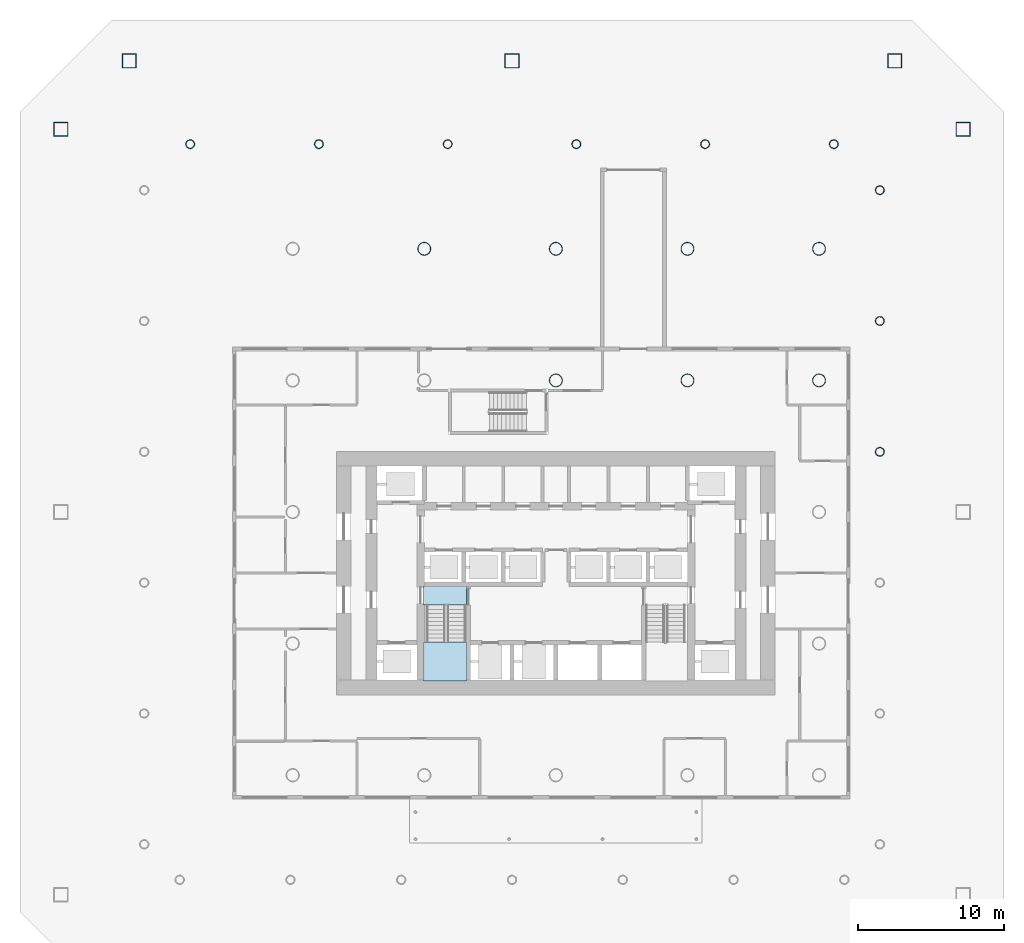
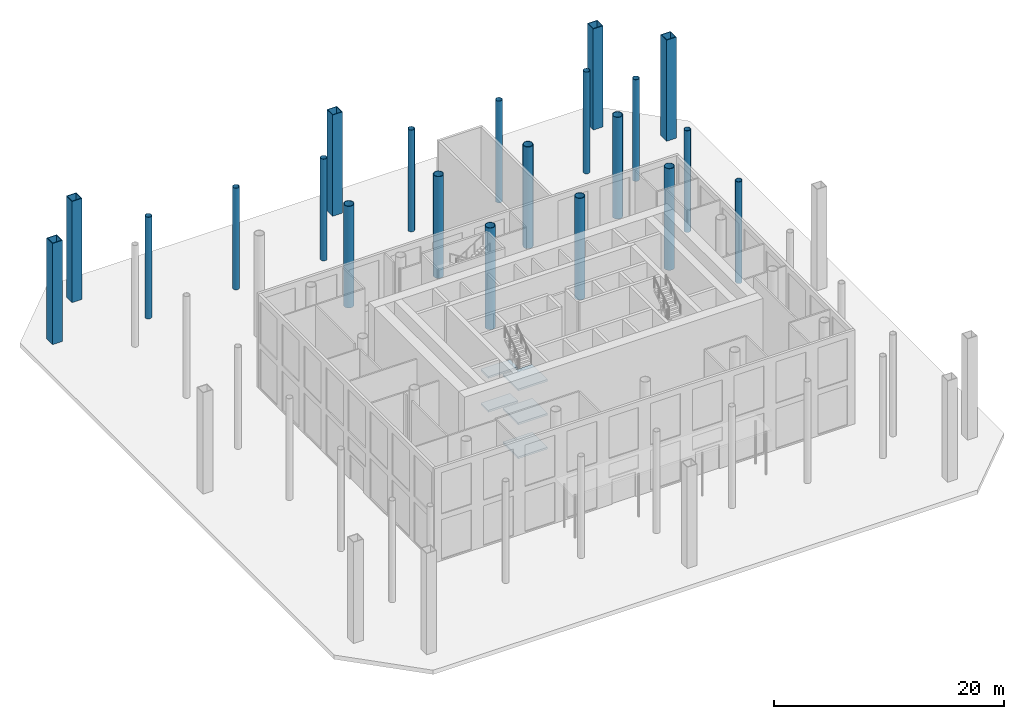
# One storey, part 6 of 18: 21 columns, 5 slabs, 1 element without a shape of its own.
"""IFC4 building model written with IfcOpenShell, lengths in metres."""

import ifcopenshell
import ifcopenshell.guid

model = None  # the IFC model being written
_history = None  # IfcOwnerHistory: only IFC2X3 demands one
_inside = {}  # id of a spatial element -> (the spatial element, [elements in it])
_under = {}  # id of a project, library or spatial element -> (it, [spatial elements below it])
_declared = {}  # id of a project -> (the project, [libraries it declares])
_typed = {}  # id of a type object -> (the type object, [elements of that type])
_made_of = {}  # id of a material, layer set ... -> (it, [elements and type objects made of it])


def new_model(schema):
    """Start an empty IFC model of exactly this schema.

    Asked for "IFC4X3", IfcOpenShell would pick the latest addendum, in which some entities
    have other attributes; the version numbers below select the first issue.
    IFC2X3 requires an IfcOwnerHistory on every rooted entity: one is made here for all.
    """
    global model, _history
    if schema == "IFC4X3":
        model = ifcopenshell.file(schema_version=(4, 3, 0, 0))
    else:
        model = ifcopenshell.file(schema=schema)
    _inside.clear()
    _under.clear()
    _declared.clear()
    _typed.clear()
    _made_of.clear()
    _history = None
    if model.schema == "IFC2X3":
        org = make("IfcOrganization", Name="unknown")
        user = make(
            "IfcPersonAndOrganization",
            ThePerson=make("IfcPerson", FamilyName="unknown"),
            TheOrganization=org,
        )
        app = make(
            "IfcApplication",
            ApplicationDeveloper=org,
            Version="unknown",
            ApplicationFullName="unknown",
            ApplicationIdentifier="unknown",
        )
        _history = make(
            "IfcOwnerHistory",
            OwningUser=user,
            OwningApplication=app,
            ChangeAction="ADDED",
            CreationDate=0,
        )
    return model


def make(cls, **values):
    """One entity of the class cls with the attributes given. An attribute that is None is left unset."""
    return model.create_entity(
        cls, **{name: value for name, value in values.items() if value is not None}
    )


def rooted(cls, **values):
    """An entity with a GlobalId (a new one), such as an element, a storey or a relation."""
    return make(cls, GlobalId=ifcopenshell.guid.new(), OwnerHistory=_history, **values)


def si_unit(unit_type, name, prefix=None):
    """IfcSIUnit, for example si_unit("LENGTHUNIT", "METRE", prefix="MILLI")."""
    return make("IfcSIUnit", UnitType=unit_type, Prefix=prefix, Name=name)


def assignment(units):
    """IfcUnitAssignment: the units of a project."""
    return None if units is None else make("IfcUnitAssignment", Units=units)


def point(xyz):
    """IfcCartesianPoint."""
    return None if xyz is None else make("IfcCartesianPoint", Coordinates=xyz)


def direction(xyz):
    """IfcDirection."""
    return None if xyz is None else make("IfcDirection", DirectionRatios=xyz)


def frame(location, z_axis=None, x_axis=None):
    """IfcAxis2Placement3D, a coordinate frame: its origin and axes. An axis left out is left unset."""
    return make(
        "IfcAxis2Placement3D",
        Location=point(location),
        Axis=direction(z_axis),
        RefDirection=direction(x_axis),
    )


def frame_2d(location, x_axis=None):
    """IfcAxis2Placement2D, a coordinate frame in the plane: its origin and x axis."""
    return make(
        "IfcAxis2Placement2D", Location=point(location), RefDirection=direction(x_axis)
    )


def origin():
    """The frame at (0, 0, 0) with its axes left unset."""
    return frame((0.0, 0.0, 0.0))


def origin_2d():
    """The frame at (0, 0) in the plane with its x axis left unset."""
    return frame_2d((0.0, 0.0))


def place(relative_to, where):
    """IfcLocalPlacement: puts the frame where relative to a parent placement (None: the world)."""
    return make(
        "IfcLocalPlacement", PlacementRelTo=relative_to, RelativePlacement=where
    )


def context(
    kind, dimensions, precision=None, world=None, true_north=None, identifier=None
):
    """IfcGeometricRepresentationContext, for example the 3D "Model" context."""
    return make(
        "IfcGeometricRepresentationContext",
        ContextIdentifier=identifier,
        ContextType=kind,
        CoordinateSpaceDimension=dimensions,
        Precision=precision,
        WorldCoordinateSystem=world,
        TrueNorth=true_north,
    )


def subcontext(parent, identifier, kind, view, scale=None):
    """IfcGeometricRepresentationSubContext, for example "Body" below "Model"."""
    return make(
        "IfcGeometricRepresentationSubContext",
        ContextIdentifier=identifier,
        ContextType=kind,
        ParentContext=parent,
        TargetScale=scale,
        TargetView=view,
    )


def project(units=None, contexts=None):
    """IfcProject with its units and contexts."""
    return rooted(
        "IfcProject",
        Name="project",
        RepresentationContexts=contexts,
        UnitsInContext=assignment(units),
    )


def spatial(cls, under=None, at=None, **own):
    """A site, building, storey or space (cls), placed at a placement, below another one or the project."""
    s = rooted(cls, ObjectPlacement=at, **own)
    if under is not None:
        _under.setdefault(under.id(), (under, []))[1].append(s)
    return s


def polyline(points):
    """IfcPolyline through the points."""
    return make("IfcPolyline", Points=[point(p) for p in points])


def profile(cls, at=None, kind="AREA", **sizes):
    """A parametric profile (cls). Its sizes go by their IFC names, for example OverallWidth=200.0."""
    return make(cls, ProfileType=kind, Position=at, **sizes)


def hollow_rectangle(**sizes):
    """IfcRectangleHollowProfileDef."""
    return profile("IfcRectangleHollowProfileDef", **sizes)


def hollow_circle(**sizes):
    """IfcCircleHollowProfileDef."""
    return profile("IfcCircleHollowProfileDef", **sizes)


def outline(outer, holes=None, kind="AREA"):
    """IfcArbitraryClosedProfileDef: a profile drawn as a closed curve; with holes, ...WithVoids."""
    if holes is None:
        return make("IfcArbitraryClosedProfileDef", ProfileType=kind, OuterCurve=outer)
    return make(
        "IfcArbitraryProfileDefWithVoids",
        ProfileType=kind,
        OuterCurve=outer,
        InnerCurves=holes,
    )


def extrude(swept, where, along, depth):
    """IfcExtrudedAreaSolid: the profile swept, set in the frame where, extruded along a direction by depth."""
    return make(
        "IfcExtrudedAreaSolid",
        SweptArea=swept,
        Position=where,
        ExtrudedDirection=direction(along),
        Depth=depth,
    )


def shape(context_of_items, identifier, shape_type, items):
    """IfcShapeRepresentation: the items that make up one representation, for example the "Body"."""
    return make(
        "IfcShapeRepresentation",
        ContextOfItems=context_of_items,
        RepresentationIdentifier=identifier,
        RepresentationType=shape_type,
        Items=items,
    )


def material(Name=None, Category=None):
    """IfcMaterial."""
    return make("IfcMaterial", Name=Name, Category=Category)


def layer(
    of_material, thickness, ventilated=None, Name=None, Category=None, Priority=None
):
    """IfcMaterialLayer: one layer of a wall or slab, of a material (None: an air gap)."""
    return make(
        "IfcMaterialLayer",
        Material=of_material,
        LayerThickness=thickness,
        IsVentilated=ventilated,
        Name=Name,
        Category=Category,
        Priority=Priority,
    )


def layer_set(layers, Name=None):
    """IfcMaterialLayerSet."""
    return make("IfcMaterialLayerSet", MaterialLayers=layers, LayerSetName=Name)


def material_profile(
    of_material, cross_section, Name=None, Category=None, Priority=None
):
    """IfcMaterialProfile: a cross section and its material."""
    return make(
        "IfcMaterialProfile",
        Name=Name,
        Material=of_material,
        Profile=cross_section,
        Priority=Priority,
        Category=Category,
    )


def profile_set(profiles, Name=None, composite=None):
    """IfcMaterialProfileSet."""
    return make(
        "IfcMaterialProfileSet",
        Name=Name,
        MaterialProfiles=profiles,
        CompositeProfile=composite,
    )


def made_of(thing, what):
    """Note that an element or type object is made of a material, layer set ...; save() writes the relation."""
    if what is not None:
        _made_of.setdefault(what.id(), (what, []))[1].append(thing)
    return thing


def type_object(cls, material=None, **own):
    """A type object (cls), such as IfcWallType, which elements share."""
    return made_of(rooted(cls, **own), material)


def element(
    cls,
    number,
    at=None,
    inside=None,
    cuts=None,
    type_object=None,
    material=None,
    context=None,
    identifier="Body",
    shape_type=None,
    held_by="IfcProductDefinitionShape",
    body=None,
    shapes=None,
    **own,
):
    """One element of the class cls, such as IfcWall. Its Tag is "e" and its number.

    at: its placement. inside: the storey or other place that contains it. cuts: it is an
    opening in that element (IfcRelVoidsElement). A single representation is given by context,
    identifier, shape_type and body (its items); several are given by shapes. held_by: the class
    of the entity that holds the representations. save() writes the other relations.
    """
    e = rooted(cls, Tag="e%d" % number, ObjectPlacement=at, **own)
    if body is not None:
        shapes = [shape(context, identifier, shape_type, body)]
    if shapes is not None:
        e.Representation = make(held_by, Representations=shapes)
    if inside is not None:
        _inside.setdefault(inside.id(), (inside, []))[1].append(e)
    if cuts is not None:
        rooted(
            "IfcRelVoidsElement", RelatingBuildingElement=cuts, RelatedOpeningElement=e
        )
    if type_object is not None:
        _typed.setdefault(type_object.id(), (type_object, []))[1].append(e)
    return made_of(e, material)


def aggregate(whole, parts):
    """IfcRelAggregates: a whole, such as a stair, and the parts it consists of."""
    return rooted("IfcRelAggregates", RelatingObject=whole, RelatedObjects=parts)


def save(model, path):
    """Write the relations noted so far, then the file.

    IfcRelAggregates (storeys below a building ...), IfcRelContainedInSpatialStructure (elements
    in a storey), IfcRelDefinesByType, IfcRelAssociatesMaterial and IfcRelDeclares: one each for
    every whole, place, type object, material and project.
    """
    for whole, parts in _under.values():
        aggregate(whole, parts)
    for where, things in _inside.values():
        rooted(
            "IfcRelContainedInSpatialStructure",
            RelatedElements=things,
            RelatingStructure=where,
        )
    for kind, things in _typed.values():
        rooted("IfcRelDefinesByType", RelatedObjects=things, RelatingType=kind)
    for what, things in _made_of.values():
        rooted("IfcRelAssociatesMaterial", RelatedObjects=things, RelatingMaterial=what)
    for by, libraries in _declared.values():
        rooted("IfcRelDeclares", RelatingContext=by, RelatedDefinitions=libraries)
    model.write(path)


model = new_model("IFC4")

# Units and contexts
model_context = context("Model", 3, precision=1e-05, world=origin(), true_north=direction((0.0, 1.0)))
body_context = subcontext(model_context, "Body", "Model", "MODEL_VIEW")
ifc_project = project(units=[si_unit("LENGTHUNIT", "METRE"), si_unit("AREAUNIT", "SQUARE_METRE"), si_unit("VOLUMEUNIT", "CUBIC_METRE"), si_unit("PLANEANGLEUNIT", "RADIAN"), si_unit("MASSUNIT", "GRAM", prefix="KILO")], contexts=[model_context])

# Site, building, storey
site_placement = place(None, origin())
site = spatial("IfcSite", under=ifc_project, at=site_placement, CompositionType="ELEMENT")
building_placement = place(site_placement, origin())
building = spatial("IfcBuilding", under=site, at=building_placement, Name="Tskaro Facet Tower", CompositionType="ELEMENT")
storey_placement = place(building_placement, origin())
storey = spatial("IfcBuildingStorey", under=building, at=storey_placement, Name="L00", CompositionType="ELEMENT", Elevation=0.0)

# Columns
ifc_material_1 = material(Name="Steel S460M", Category="steel")
ifc_material_profile_1 = material_profile(ifc_material_1, hollow_rectangle(XDim=1.0, YDim=1.0, WallThickness=0.06005859375, at=origin_2d()), Name="BOX 1000x1000x60")
ifc_profile_set_1 = profile_set([ifc_material_profile_1], Name="Steel S460M")
column_type_1 = type_object("IfcColumnType", Name="BOX 1000x1000x60 mega column", PredefinedType="COLUMN", material=ifc_profile_set_1)
for number, where, z_axis, x_axis, name in (
    (1, (27.85009765625, 26.180908203125, 0.0), (0.0, 0.0, 1.0), (1.0, 0.0, 0.0), "BOX 1000x1000x60 MC06/G"),
    (2, (23.180908203125, 30.85009765625, 0.0), (0.0, 0.0, 1.0), (1.0, 0.0, 0.0), "BOX 1000x1000x60 MC07/G"),
):
    element("IfcColumn", number, at=place(storey_placement, frame(where, z_axis=z_axis, x_axis=x_axis)), inside=storey, type_object=column_type_1, Name=name, PredefinedType="COLUMN", context=body_context, shape_type="SweptSolid", body=[
        extrude(hollow_rectangle(XDim=1.0, YDim=1.0, WallThickness=0.06005859375, at=origin_2d()), origin(), (0.0, 0.0, 1.0), 10.744140625),
    ])
column_placement = place(storey_placement, frame((-3.0, 30.85009765625, 0.0), z_axis=(0.0, 0.0, 1.0), x_axis=(1.0, 0.0, 0.0)))
element("IfcColumn", 3, at=column_placement, inside=storey, type_object=column_type_1, Name="BOX 1000x1000x60 MC08/G", PredefinedType="COLUMN", context=body_context, shape_type="SweptSolid", body=[
    extrude(hollow_rectangle(XDim=1.0, YDim=1.0, WallThickness=0.06005859375, at=origin_2d()), origin(), (0.0, 0.0, 1.0), 10.763671875),
])
for number, where, z_axis, x_axis, name in (
    (4, (-29.180908203125, 30.85009765625, 0.0), (0.0, 0.0, 1.0), (1.0, 0.0, 0.0), "BOX 1000x1000x60 MC09/G"),
    (5, (-33.85009765625, 26.180908203125, 0.0), (0.0, 0.0, 1.0), (1.0, 0.0, 0.0), "BOX 1000x1000x60 MC10/G"),
):
    element("IfcColumn", number, at=place(storey_placement, frame(where, z_axis=z_axis, x_axis=x_axis)), inside=storey, type_object=column_type_1, Name=name, PredefinedType="COLUMN", context=body_context, shape_type="SweptSolid", body=[
        extrude(hollow_rectangle(XDim=1.0, YDim=1.0, WallThickness=0.06005859375, at=origin_2d()), origin(), (0.0, 0.0, 1.0), 10.744140625),
    ])
ifc_material_2 = material(Name="Steel S355J2H", Category="steel")
ifc_material_profile_2 = material_profile(ifc_material_2, hollow_circle(Radius=0.304931640625, WallThickness=0.030029296875, at=origin_2d()), Name="CHS 610x30")
ifc_profile_set_2 = profile_set([ifc_material_profile_2], Name="Steel S355J2H")
column_type_2 = type_object("IfcColumnType", Name="CHS 610x30 ring column", PredefinedType="COLUMN", material=ifc_profile_set_2)
for number, where, z_axis, x_axis, name in (
    (6, (22.156982421875, 4.115966796875, 0.0), (0.0, 0.0, 1.0), (1.0, 0.0, 0.0), "CHS 610x30 RE-4/1"),
    (7, (22.156982421875, 13.06396484375, 0.0), (0.0, 0.0, 1.0), (1.0, 0.0, 0.0), "CHS 610x30 RE-5/1"),
    (8, (22.156982421875, 22.011962890625, 0.0), (0.0, 0.0, 1.0), (1.0, 0.0, 0.0), "CHS 610x30 RNE-1/1"),
    (9, (19.011962890625, 25.156982421875, 0.0), (0.0, 0.0, 1.0), (1.0, 0.0, 0.0), "CHS 610x30 RN-1/1"),
    (10, (10.20703125, 25.156982421875, 0.0), (0.0, 0.0, 1.0), (1.0, 0.0, 0.0), "CHS 610x30 RN-2/1"),
    (11, (1.402099609375, 25.156982421875, 0.0), (0.0, 0.0, 1.0), (1.0, 0.0, 0.0), "CHS 610x30 RN-3/1"),
    (12, (-7.402099609375, 25.156982421875, 0.0), (0.0, 0.0, 1.0), (1.0, 0.0, 0.0), "CHS 610x30 RN-4/1"),
    (13, (-16.20703125, 25.156982421875, 0.0), (0.0, 0.0, 1.0), (1.0, 0.0, 0.0), "CHS 610x30 RN-5/1"),
    (14, (-25.011962890625, 25.156982421875, 0.0), (0.0, 0.0, 1.0), (1.0, 0.0, 0.0), "CHS 610x30 RNW-1/1"),
):
    element("IfcColumn", number, at=place(storey_placement, frame(where, z_axis=z_axis, x_axis=x_axis)), inside=storey, type_object=column_type_2, Name=name, PredefinedType="COLUMN", context=body_context, shape_type="SweptSolid", body=[
        extrude(hollow_circle(Radius=0.304931640625, WallThickness=0.030029296875, at=origin_2d()), origin(), (0.0, 0.0, 1.0), 10.800048828125),
    ])
ifc_material_profile_3 = material_profile(ifc_material_2, hollow_circle(Radius=0.457275390625, WallThickness=0.050048828125, at=origin_2d()), Name="CHS 914.4x50")
ifc_profile_set_3 = profile_set([ifc_material_profile_3], Name="Steel S355J2H")
column_type_3 = type_object("IfcColumnType", Name="CHS 914.4x50 interior column", PredefinedType="COLUMN", material=ifc_profile_set_3)
for number, where, z_axis, x_axis, name in (
    (15, (-9.0, 18.0, 0.0), (0.0, 0.0, 1.0), (1.0, 0.0, 0.0), "CHS 914.4x50 C3F/1"),
    (16, (0.0, 9.0, 0.0), (0.0, 0.0, 1.0), (1.0, 0.0, 0.0), "CHS 914.4x50 C4E/1"),
    (17, (0.0, 18.0, 0.0), (0.0, 0.0, 1.0), (1.0, 0.0, 0.0), "CHS 914.4x50 C4F/1"),
    (18, (9.0, 9.0, 0.0), (0.0, 0.0, 1.0), (1.0, 0.0, 0.0), "CHS 914.4x50 C5E/1"),
    (19, (9.0, 18.0, 0.0), (0.0, 0.0, 1.0), (1.0, 0.0, 0.0), "CHS 914.4x50 C5F/1"),
    (20, (18.0, 9.0, 0.0), (0.0, 0.0, 1.0), (1.0, 0.0, 0.0), "CHS 914.4x50 C6E/1"),
    (21, (18.0, 18.0, 0.0), (0.0, 0.0, 1.0), (1.0, 0.0, 0.0), "CHS 914.4x50 C6F/1"),
):
    element("IfcColumn", number, at=place(storey_placement, frame(where, z_axis=z_axis, x_axis=x_axis)), inside=storey, type_object=column_type_3, Name=name, PredefinedType="COLUMN", context=body_context, shape_type="SweptSolid", body=[
        extrude(hollow_circle(Radius=0.457275390625, WallThickness=0.050048828125, at=origin_2d()), origin(), (0.0, 0.0, 1.0), 10.800048828125),
    ])

# Stair, slabs
ifc_material_3 = material(Name="Concrete C40/50", Category="concrete")
stair_type = type_object("IfcStairType", Name="ST-TWR", PredefinedType="HALF_TURN_STAIR", material=ifc_material_3)
stair_placement = place(storey_placement, origin())
stair = element("IfcStair", 22, at=stair_placement, inside=storey, type_object=stair_type, Name="L00 Exit stair 1", PredefinedType="HALF_TURN_STAIR")
ifc_layer = layer(ifc_material_3, 0.199951171875, Name="Concrete C40/50")
ifc_layer_set = layer_set([ifc_layer], Name="Concrete C40/50")
slab_type = type_object("IfcSlabType", Name="SL-LANDING", PredefinedType="LANDING", material=ifc_layer_set)
slab_1_placement = place(storey_placement, frame((0.0, 0.0, 1.60009765625)))
slab_1 = element("IfcSlab", 23, at=slab_1_placement, type_object=slab_type, Name="ST-1 landing 1", PredefinedType="LANDING", context=body_context, shape_type="SweptSolid", body=[
    extrude(outline(polyline([(-9.050048828125, -11.550048828125), (-6.10009765625, -11.550048828125), (-6.10009765625, -8.89501953125), (-9.050048828125, -8.89501953125), (-9.050048828125, -11.550048828125)])), origin(), (0.0, 0.0, 1.0), 0.199951171875),
])
slab_2_placement = place(storey_placement, frame((0.0, 0.0, 3.39990234375)))
slab_2 = element("IfcSlab", 24, at=slab_2_placement, type_object=slab_type, Name="ST-1 landing 2", PredefinedType="LANDING", context=body_context, shape_type="SweptSolid", body=[
    extrude(outline(polyline([(-9.050048828125, -6.375), (-6.10009765625, -6.375), (-6.10009765625, -5.050048828125), (-9.050048828125, -5.050048828125), (-9.050048828125, -6.375)])), origin(), (0.0, 0.0, 1.0), 0.2001953125),
])
slab_3_placement = place(storey_placement, frame((0.0, 0.0, 5.199951171875)))
slab_3 = element("IfcSlab", 25, at=slab_3_placement, type_object=slab_type, Name="ST-1 landing 3", PredefinedType="LANDING", context=body_context, shape_type="SweptSolid", body=[
    extrude(outline(polyline([(-9.050048828125, -11.550048828125), (-6.10009765625, -11.550048828125), (-6.10009765625, -8.89501953125), (-9.050048828125, -8.89501953125), (-9.050048828125, -11.550048828125)])), origin(), (0.0, 0.0, 1.0), 0.199951171875),
])
slab_4_placement = place(storey_placement, frame((0.0, 0.0, 7.0)))
slab_4 = element("IfcSlab", 26, at=slab_4_placement, type_object=slab_type, Name="ST-1 landing 4", PredefinedType="LANDING", context=body_context, shape_type="SweptSolid", body=[
    extrude(outline(polyline([(-9.050048828125, -6.375), (-6.10009765625, -6.375), (-6.10009765625, -5.050048828125), (-9.050048828125, -5.050048828125), (-9.050048828125, -6.375)])), origin(), (0.0, 0.0, 1.0), 0.199951171875),
])
slab_5_placement = place(storey_placement, frame((0.0, 0.0, 8.800048828125)))
slab_5 = element("IfcSlab", 27, at=slab_5_placement, type_object=slab_type, Name="ST-1 landing 5", PredefinedType="LANDING", context=body_context, shape_type="SweptSolid", body=[
    extrude(outline(polyline([(-9.050048828125, -11.550048828125), (-6.10009765625, -11.550048828125), (-6.10009765625, -8.89501953125), (-9.050048828125, -8.89501953125), (-9.050048828125, -11.550048828125)])), origin(), (0.0, 0.0, 1.0), 0.199951171875),
])
aggregate(stair, [slab_1, slab_2, slab_3, slab_4, slab_5])

save(model, "model.ifc")
